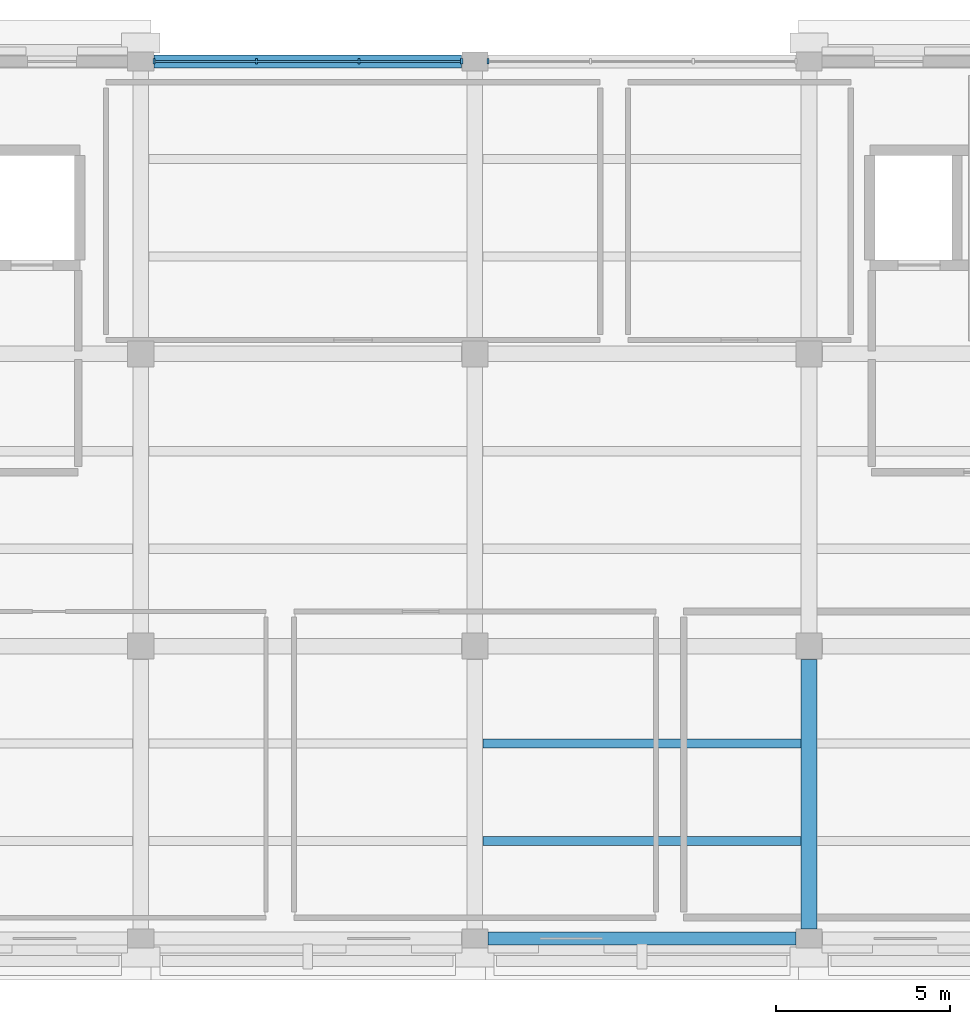
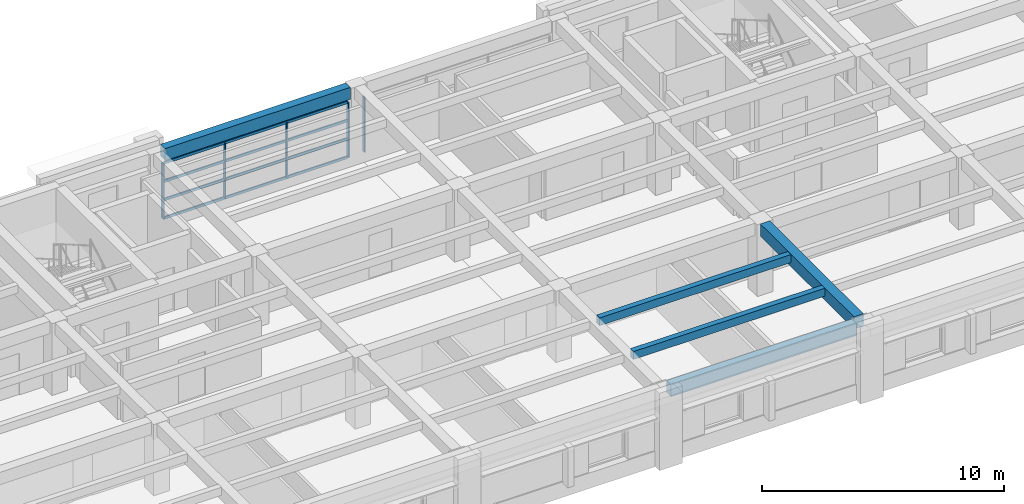
# One storey, part 2 of 12: 9 members, 5 beams, 2 elements without a shape of their own.
"""IFC4 building model written with IfcOpenShell, lengths in metres."""

import ifcopenshell
import ifcopenshell.guid

model = None  # the IFC model being written
_history = None  # IfcOwnerHistory: only IFC2X3 demands one
_inside = {}  # id of a spatial element -> (the spatial element, [elements in it])
_under = {}  # id of a project, library or spatial element -> (it, [spatial elements below it])
_declared = {}  # id of a project -> (the project, [libraries it declares])
_typed = {}  # id of a type object -> (the type object, [elements of that type])
_made_of = {}  # id of a material, layer set ... -> (it, [elements and type objects made of it])


def new_model(schema):
    """Start an empty IFC model of exactly this schema.

    Asked for "IFC4X3", IfcOpenShell would pick the latest addendum, in which some entities
    have other attributes; the version numbers below select the first issue.
    IFC2X3 requires an IfcOwnerHistory on every rooted entity: one is made here for all.
    """
    global model, _history
    if schema == "IFC4X3":
        model = ifcopenshell.file(schema_version=(4, 3, 0, 0))
    else:
        model = ifcopenshell.file(schema=schema)
    _inside.clear()
    _under.clear()
    _declared.clear()
    _typed.clear()
    _made_of.clear()
    _history = None
    if model.schema == "IFC2X3":
        org = make("IfcOrganization", Name="unknown")
        user = make(
            "IfcPersonAndOrganization",
            ThePerson=make("IfcPerson", FamilyName="unknown"),
            TheOrganization=org,
        )
        app = make(
            "IfcApplication",
            ApplicationDeveloper=org,
            Version="unknown",
            ApplicationFullName="unknown",
            ApplicationIdentifier="unknown",
        )
        _history = make(
            "IfcOwnerHistory",
            OwningUser=user,
            OwningApplication=app,
            ChangeAction="ADDED",
            CreationDate=0,
        )
    return model


def make(cls, **values):
    """One entity of the class cls with the attributes given. An attribute that is None is left unset."""
    return model.create_entity(
        cls, **{name: value for name, value in values.items() if value is not None}
    )


def rooted(cls, **values):
    """An entity with a GlobalId (a new one), such as an element, a storey or a relation."""
    return make(cls, GlobalId=ifcopenshell.guid.new(), OwnerHistory=_history, **values)


def si_unit(unit_type, name, prefix=None):
    """IfcSIUnit, for example si_unit("LENGTHUNIT", "METRE", prefix="MILLI")."""
    return make("IfcSIUnit", UnitType=unit_type, Prefix=prefix, Name=name)


def assignment(units):
    """IfcUnitAssignment: the units of a project."""
    return None if units is None else make("IfcUnitAssignment", Units=units)


def point(xyz):
    """IfcCartesianPoint."""
    return None if xyz is None else make("IfcCartesianPoint", Coordinates=xyz)


def direction(xyz):
    """IfcDirection."""
    return None if xyz is None else make("IfcDirection", DirectionRatios=xyz)


def frame(location, z_axis=None, x_axis=None):
    """IfcAxis2Placement3D, a coordinate frame: its origin and axes. An axis left out is left unset."""
    return make(
        "IfcAxis2Placement3D",
        Location=point(location),
        Axis=direction(z_axis),
        RefDirection=direction(x_axis),
    )


def frame_2d(location, x_axis=None):
    """IfcAxis2Placement2D, a coordinate frame in the plane: its origin and x axis."""
    return make(
        "IfcAxis2Placement2D", Location=point(location), RefDirection=direction(x_axis)
    )


def origin():
    """The frame at (0, 0, 0) with its axes left unset."""
    return frame((0.0, 0.0, 0.0))


def origin_2d():
    """The frame at (0, 0) in the plane with its x axis left unset."""
    return frame_2d((0.0, 0.0))


def place(relative_to, where):
    """IfcLocalPlacement: puts the frame where relative to a parent placement (None: the world)."""
    return make(
        "IfcLocalPlacement", PlacementRelTo=relative_to, RelativePlacement=where
    )


def context(
    kind, dimensions, precision=None, world=None, true_north=None, identifier=None
):
    """IfcGeometricRepresentationContext, for example the 3D "Model" context."""
    return make(
        "IfcGeometricRepresentationContext",
        ContextIdentifier=identifier,
        ContextType=kind,
        CoordinateSpaceDimension=dimensions,
        Precision=precision,
        WorldCoordinateSystem=world,
        TrueNorth=true_north,
    )


def subcontext(parent, identifier, kind, view, scale=None):
    """IfcGeometricRepresentationSubContext, for example "Body" below "Model"."""
    return make(
        "IfcGeometricRepresentationSubContext",
        ContextIdentifier=identifier,
        ContextType=kind,
        ParentContext=parent,
        TargetScale=scale,
        TargetView=view,
    )


def project(units=None, contexts=None):
    """IfcProject with its units and contexts."""
    return rooted(
        "IfcProject",
        Name="project",
        RepresentationContexts=contexts,
        UnitsInContext=assignment(units),
    )


def spatial(cls, under=None, at=None, **own):
    """A site, building, storey or space (cls), placed at a placement, below another one or the project."""
    s = rooted(cls, ObjectPlacement=at, **own)
    if under is not None:
        _under.setdefault(under.id(), (under, []))[1].append(s)
    return s


def profile(cls, at=None, kind="AREA", **sizes):
    """A parametric profile (cls). Its sizes go by their IFC names, for example OverallWidth=200.0."""
    return make(cls, ProfileType=kind, Position=at, **sizes)


def rectangle(**sizes):
    """IfcRectangleProfileDef."""
    return profile("IfcRectangleProfileDef", **sizes)


def extrude(swept, where, along, depth):
    """IfcExtrudedAreaSolid: the profile swept, set in the frame where, extruded along a direction by depth."""
    return make(
        "IfcExtrudedAreaSolid",
        SweptArea=swept,
        Position=where,
        ExtrudedDirection=direction(along),
        Depth=depth,
    )


def shape(context_of_items, identifier, shape_type, items):
    """IfcShapeRepresentation: the items that make up one representation, for example the "Body"."""
    return make(
        "IfcShapeRepresentation",
        ContextOfItems=context_of_items,
        RepresentationIdentifier=identifier,
        RepresentationType=shape_type,
        Items=items,
    )


def material(Name=None, Category=None):
    """IfcMaterial."""
    return make("IfcMaterial", Name=Name, Category=Category)


def layer(
    of_material, thickness, ventilated=None, Name=None, Category=None, Priority=None
):
    """IfcMaterialLayer: one layer of a wall or slab, of a material (None: an air gap)."""
    return make(
        "IfcMaterialLayer",
        Material=of_material,
        LayerThickness=thickness,
        IsVentilated=ventilated,
        Name=Name,
        Category=Category,
        Priority=Priority,
    )


def layer_set(layers, Name=None):
    """IfcMaterialLayerSet."""
    return make("IfcMaterialLayerSet", MaterialLayers=layers, LayerSetName=Name)


def material_profile(
    of_material, cross_section, Name=None, Category=None, Priority=None
):
    """IfcMaterialProfile: a cross section and its material."""
    return make(
        "IfcMaterialProfile",
        Name=Name,
        Material=of_material,
        Profile=cross_section,
        Priority=Priority,
        Category=Category,
    )


def profile_set(profiles, Name=None, composite=None):
    """IfcMaterialProfileSet."""
    return make(
        "IfcMaterialProfileSet",
        Name=Name,
        MaterialProfiles=profiles,
        CompositeProfile=composite,
    )


def made_of(thing, what):
    """Note that an element or type object is made of a material, layer set ...; save() writes the relation."""
    if what is not None:
        _made_of.setdefault(what.id(), (what, []))[1].append(thing)
    return thing


def type_object(cls, material=None, **own):
    """A type object (cls), such as IfcWallType, which elements share."""
    return made_of(rooted(cls, **own), material)


def element(
    cls,
    number,
    at=None,
    inside=None,
    cuts=None,
    type_object=None,
    material=None,
    context=None,
    identifier="Body",
    shape_type=None,
    held_by="IfcProductDefinitionShape",
    body=None,
    shapes=None,
    **own,
):
    """One element of the class cls, such as IfcWall. Its Tag is "e" and its number.

    at: its placement. inside: the storey or other place that contains it. cuts: it is an
    opening in that element (IfcRelVoidsElement). A single representation is given by context,
    identifier, shape_type and body (its items); several are given by shapes. held_by: the class
    of the entity that holds the representations. save() writes the other relations.
    """
    e = rooted(cls, Tag="e%d" % number, ObjectPlacement=at, **own)
    if body is not None:
        shapes = [shape(context, identifier, shape_type, body)]
    if shapes is not None:
        e.Representation = make(held_by, Representations=shapes)
    if inside is not None:
        _inside.setdefault(inside.id(), (inside, []))[1].append(e)
    if cuts is not None:
        rooted(
            "IfcRelVoidsElement", RelatingBuildingElement=cuts, RelatedOpeningElement=e
        )
    if type_object is not None:
        _typed.setdefault(type_object.id(), (type_object, []))[1].append(e)
    return made_of(e, material)


def aggregate(whole, parts):
    """IfcRelAggregates: a whole, such as a stair, and the parts it consists of."""
    return rooted("IfcRelAggregates", RelatingObject=whole, RelatedObjects=parts)


def save(model, path):
    """Write the relations noted so far, then the file.

    IfcRelAggregates (storeys below a building ...), IfcRelContainedInSpatialStructure (elements
    in a storey), IfcRelDefinesByType, IfcRelAssociatesMaterial and IfcRelDeclares: one each for
    every whole, place, type object, material and project.
    """
    for whole, parts in _under.values():
        aggregate(whole, parts)
    for where, things in _inside.values():
        rooted(
            "IfcRelContainedInSpatialStructure",
            RelatedElements=things,
            RelatingStructure=where,
        )
    for kind, things in _typed.values():
        rooted("IfcRelDefinesByType", RelatedObjects=things, RelatingType=kind)
    for what, things in _made_of.values():
        rooted("IfcRelAssociatesMaterial", RelatedObjects=things, RelatingMaterial=what)
    for by, libraries in _declared.values():
        rooted("IfcRelDeclares", RelatingContext=by, RelatedDefinitions=libraries)
    model.write(path)


model = new_model("IFC4")

# Units and contexts
model_context = context("Model", 3, precision=1e-05, world=origin(), true_north=direction((0.0, 1.0)))
body_context = subcontext(model_context, "Body", "Model", "MODEL_VIEW")
ifc_project = project(units=[si_unit("LENGTHUNIT", "METRE"), si_unit("AREAUNIT", "SQUARE_METRE"), si_unit("VOLUMEUNIT", "CUBIC_METRE"), si_unit("PLANEANGLEUNIT", "RADIAN"), si_unit("MASSUNIT", "GRAM", prefix="KILO")], contexts=[model_context])

# Site, building, storey
site_placement = place(None, origin())
site = spatial("IfcSite", under=ifc_project, at=site_placement, CompositionType="ELEMENT")
building_placement = place(site_placement, origin())
building = spatial("IfcBuilding", under=site, at=building_placement, Name="Bempovik Park Faculty of Sciences", CompositionType="ELEMENT")
storey_placement = place(building_placement, frame((0.0, 0.0, 34.5)))
storey = spatial("IfcBuildingStorey", under=building, at=storey_placement, Name="L08", CompositionType="ELEMENT", Elevation=34.5)

# Beams
ifc_material_1 = material(Name="Concrete C35/45", Category="concrete")
ifc_material_profile_1 = material_profile(ifc_material_1, rectangle(XDim=0.3798828125, YDim=0.60009765625, at=origin_2d()), Name="RC 380x600")
ifc_profile_set_1 = profile_set([ifc_material_profile_1], Name="Concrete C35/45")
beam_type_1 = type_object("IfcBeamType", Name="B-032 RC 380x600", PredefinedType="SPANDREL", material=ifc_profile_set_1)
beam_1_placement = place(storey_placement, frame((89.180908203125, 94.199951171875, 3.320068359375), z_axis=(1.0, 0.0, 0.0), x_axis=(0.0, 1.0, 0.0)))
element("IfcBeam", 1, at=beam_1_placement, inside=storey, type_object=beam_type_1, Name="L08 Beam X (88.8-98.4, y=94.2)", PredefinedType="SPANDREL", context=body_context, shape_type="SweptSolid", body=[
    extrude(rectangle(XDim=0.3798828125, YDim=0.60009765625, at=origin_2d()), origin(), (0.0, 0.0, 1.0), 8.838134765625),
])
beam_2_placement = place(storey_placement, frame((79.5810546875, 119.39990234375, 3.320068359375), z_axis=(1.0, 0.0, 0.0), x_axis=(0.0, 1.0, 0.0)))
element("IfcBeam", 2, at=beam_2_placement, inside=storey, type_object=beam_type_1, Name="L08 Beam X (79.2-88.8, y=119.4)", PredefinedType="SPANDREL", context=body_context, shape_type="SweptSolid", body=[
    extrude(rectangle(XDim=0.3798828125, YDim=0.60009765625, at=origin_2d()), origin(), (0.0, 0.0, 1.0), 8.837890625),
])
ifc_material_profile_2 = material_profile(ifc_material_1, rectangle(XDim=0.260009765625, YDim=0.39990234375, at=origin_2d()), Name="RC 260x400")
ifc_profile_set_2 = profile_set([ifc_material_profile_2], Name="Concrete C35/45")
beam_type_2 = type_object("IfcBeamType", Name="B-063 RC 260x400", PredefinedType="JOIST", material=ifc_profile_set_2)
for number, where, z_axis, x_axis, name in (
    (3, (89.031005859375, 97.0, 3.419921875), (1.0, 0.0, 0.0), (0.0, 1.0, 0.0), "L08 Secondary Joist (88.8-98.4, y=97.00)"),
    (4, (89.031005859375, 99.800048828125, 3.419921875), (1.0, 0.0, 0.0), (0.0, 1.0, 0.0), "L08 Secondary Joist (88.8-98.4, y=99.80)"),
):
    element("IfcBeam", number, at=place(storey_placement, frame(where, z_axis=z_axis, x_axis=x_axis)), inside=storey, type_object=beam_type_2, Name=name, PredefinedType="JOIST", context=body_context, shape_type="SweptSolid", body=[
        extrude(rectangle(XDim=0.260009765625, YDim=0.39990234375, at=origin_2d()), origin(), (0.0, 0.0, 1.0), 9.137939453125),
    ])
ifc_material_profile_3 = material_profile(ifc_material_1, rectangle(XDim=0.449951171875, YDim=0.6201171875, at=origin_2d()), Name="RC 450x620")
ifc_profile_set_3 = profile_set([ifc_material_profile_3], Name="Concrete C35/45")
beam_type_3 = type_object("IfcBeamType", Name="B-114 RC 450x620", PredefinedType="BEAM", material=ifc_profile_set_3)
beam_3_placement = place(storey_placement, frame((98.39990234375, 94.48095703125, 3.31005859375), z_axis=(0.0, 1.0, 0.0), x_axis=(-1.0, 0.0, 0.0)))
element("IfcBeam", 5, at=beam_3_placement, inside=storey, type_object=beam_type_3, Name="L08 Beam Y (x=98.4, 94.2-102.6)", PredefinedType="BEAM", context=body_context, shape_type="SweptSolid", body=[
    extrude(rectangle(XDim=0.449951171875, YDim=0.6201171875, at=origin_2d()), origin(), (0.0, 0.0, 1.0), 7.738037109375),
])

# Curtain wall, members
ifc_material_2 = material(Name="Tempered laminated low-E glass", Category="glass")
ifc_layer = layer(ifc_material_2, 0.159912109375)
ifc_layer_set = layer_set([ifc_layer], Name="Tempered laminated low-E glass")
curtain_wall_type = type_object("IfcCurtainWallType", Name="CW-24 Curtain 7000x3500", PredefinedType="USERDEFINED", material=ifc_layer_set)
curtain_wall_1_placement = place(storey_placement, origin())
curtain_wall_1 = element("IfcCurtainWall", 6, at=curtain_wall_1_placement, inside=storey, type_object=curtain_wall_type, Name="L08 Unitised Curtain Wall (119.4,79.2)", ObjectType="UNITISED CURTAIN WALL", PredefinedType="USERDEFINED")
ifc_material_3 = material(Name="Anodised architectural bronze", Category="aluminium")
ifc_material_profile_4 = material_profile(ifc_material_3, rectangle(XDim=0.06005859375, YDim=0.159912109375, at=origin_2d()), Name="ALU-M 60x160")
ifc_profile_set_4 = profile_set([ifc_material_profile_4], Name="Anodised architectural bronze")
member_type_1 = type_object("IfcMemberType", Name="ML-21 ALU-M 60x160", PredefinedType="MULLION", material=ifc_profile_set_4)
member_1_placement = place(storey_placement, frame((79.576904296875, 119.39990234375, 0.0), z_axis=(0.0, 0.0, 1.0), x_axis=(1.0, 0.0, 0.0)))
member_1 = element("IfcMember", 7, at=member_1_placement, type_object=member_type_1, Name="CW-BAY-L08-1194-792 Mullion 0", PredefinedType="MULLION", context=body_context, shape_type="SweptSolid", body=[
    extrude(rectangle(XDim=0.06005859375, YDim=0.159912109375, at=origin_2d()), origin(), (0.0, 0.0, 1.0), 2.780029296875),
])
member_2_placement = place(storey_placement, frame((82.525634765625, 119.39990234375, 0.0), z_axis=(0.0, 0.0, 1.0), x_axis=(1.0, 0.0, 0.0)))
member_2 = element("IfcMember", 8, at=member_2_placement, type_object=member_type_1, Name="CW-BAY-L08-1194-792 Mullion 1", PredefinedType="MULLION", context=body_context, shape_type="SweptSolid", body=[
    extrude(rectangle(XDim=0.06005859375, YDim=0.159912109375, at=origin_2d()), origin(), (0.0, 0.0, 1.0), 2.780029296875),
])
member_3_placement = place(storey_placement, frame((85.474365234375, 119.39990234375, 0.0), z_axis=(0.0, 0.0, 1.0), x_axis=(1.0, 0.0, 0.0)))
member_3 = element("IfcMember", 9, at=member_3_placement, type_object=member_type_1, Name="CW-BAY-L08-1194-792 Mullion 2", PredefinedType="MULLION", context=body_context, shape_type="SweptSolid", body=[
    extrude(rectangle(XDim=0.06005859375, YDim=0.159912109375, at=origin_2d()), origin(), (0.0, 0.0, 1.0), 2.780029296875),
])
member_4_placement = place(storey_placement, frame((88.423095703125, 119.39990234375, 0.0), z_axis=(0.0, 0.0, 1.0), x_axis=(1.0, 0.0, 0.0)))
member_4 = element("IfcMember", 10, at=member_4_placement, type_object=member_type_1, Name="CW-BAY-L08-1194-792 Mullion 3", PredefinedType="MULLION", context=body_context, shape_type="SweptSolid", body=[
    extrude(rectangle(XDim=0.06005859375, YDim=0.159912109375, at=origin_2d()), origin(), (0.0, 0.0, 1.0), 2.780029296875),
])

# Curtain wall, member
curtain_wall_2_placement = place(storey_placement, origin())
curtain_wall_2 = element("IfcCurtainWall", 11, at=curtain_wall_2_placement, inside=storey, type_object=curtain_wall_type, Name="L08 Unitised Curtain Wall (119.4,88.8)", ObjectType="UNITISED CURTAIN WALL", PredefinedType="USERDEFINED")
member_5_placement = place(storey_placement, frame((89.177001953125, 119.39990234375, 0.0), z_axis=(0.0, 0.0, 1.0), x_axis=(1.0, 0.0, 0.0)))
member_5 = element("IfcMember", 12, at=member_5_placement, type_object=member_type_1, Name="CW-BAY-L08-1194-888 Mullion 0", PredefinedType="MULLION", context=body_context, shape_type="SweptSolid", body=[
    extrude(rectangle(XDim=0.06005859375, YDim=0.159912109375, at=origin_2d()), origin(), (0.0, 0.0, 1.0), 2.780029296875),
])
aggregate(curtain_wall_2, [member_5])

# Member
ifc_material_profile_5 = material_profile(ifc_material_3, rectangle(XDim=0.06005859375, YDim=0.1298828125, at=origin_2d()), Name="ALU-T 60x130")
ifc_profile_set_5 = profile_set([ifc_material_profile_5], Name="Anodised architectural bronze")
member_type_2 = type_object("IfcMemberType", Name="TR-25 ALU-T 60x130", PredefinedType="USERDEFINED", material=ifc_profile_set_5)
member_6_placement = place(storey_placement, frame((79.616943359375, 119.39990234375, 0.0), z_axis=(1.0, 0.0, 0.0), x_axis=(0.0, 1.0, 0.0)))
member_6 = element("IfcMember", 13, at=member_6_placement, type_object=member_type_2, Name="CW-BAY-L08-1194-792 Transom 0", ObjectType="TRANSOM", PredefinedType="USERDEFINED", context=body_context, shape_type="SweptSolid", body=[
    extrude(rectangle(XDim=0.06005859375, YDim=0.1298828125, at=origin_2d()), origin(), (0.0, 0.0, 1.0), 8.76611328125),
])

member_7_placement = place(storey_placement, frame((79.616943359375, 119.39990234375, 0.9267578125), z_axis=(1.0, 0.0, 0.0), x_axis=(0.0, 1.0, 0.0)))
member_7 = element("IfcMember", 14, at=member_7_placement, type_object=member_type_2, Name="CW-BAY-L08-1194-792 Transom 1", ObjectType="TRANSOM", PredefinedType="USERDEFINED", context=body_context, shape_type="SweptSolid", body=[
    extrude(rectangle(XDim=0.06005859375, YDim=0.1298828125, at=origin_2d()), origin(), (0.0, 0.0, 1.0), 8.76611328125),
])

member_8_placement = place(storey_placement, frame((79.616943359375, 119.39990234375, 1.853271484375), z_axis=(1.0, 0.0, 0.0), x_axis=(0.0, 1.0, 0.0)))
member_8 = element("IfcMember", 15, at=member_8_placement, type_object=member_type_2, Name="CW-BAY-L08-1194-792 Transom 2", ObjectType="TRANSOM", PredefinedType="USERDEFINED", context=body_context, shape_type="SweptSolid", body=[
    extrude(rectangle(XDim=0.06005859375, YDim=0.1298828125, at=origin_2d()), origin(), (0.0, 0.0, 1.0), 8.76611328125),
])

member_9_placement = place(storey_placement, frame((79.616943359375, 119.39990234375, 2.780029296875), z_axis=(1.0, 0.0, 0.0), x_axis=(0.0, 1.0, 0.0)))
member_9 = element("IfcMember", 16, at=member_9_placement, type_object=member_type_2, Name="CW-BAY-L08-1194-792 Transom 3", ObjectType="TRANSOM", PredefinedType="USERDEFINED", context=body_context, shape_type="SweptSolid", body=[
    extrude(rectangle(XDim=0.06005859375, YDim=0.1298828125, at=origin_2d()), origin(), (0.0, 0.0, 1.0), 8.76611328125),
])

aggregate(curtain_wall_1, [member_1, member_2, member_3, member_4, member_6, member_7, member_8, member_9])

save(model, "model.ifc")
